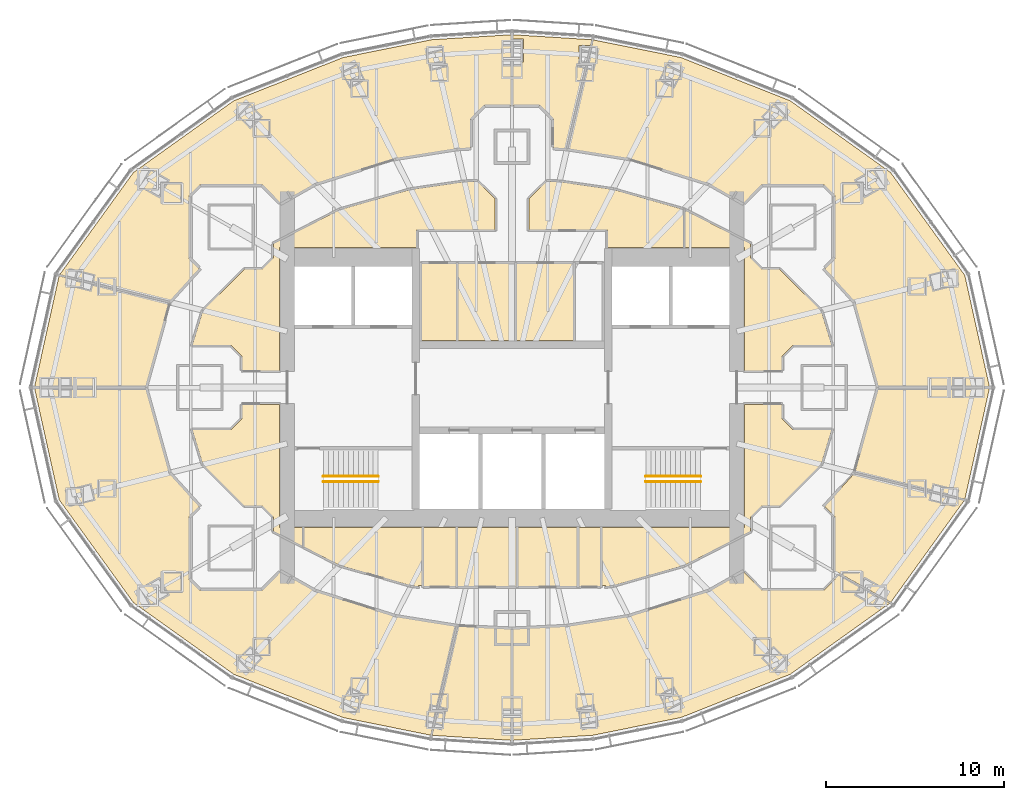
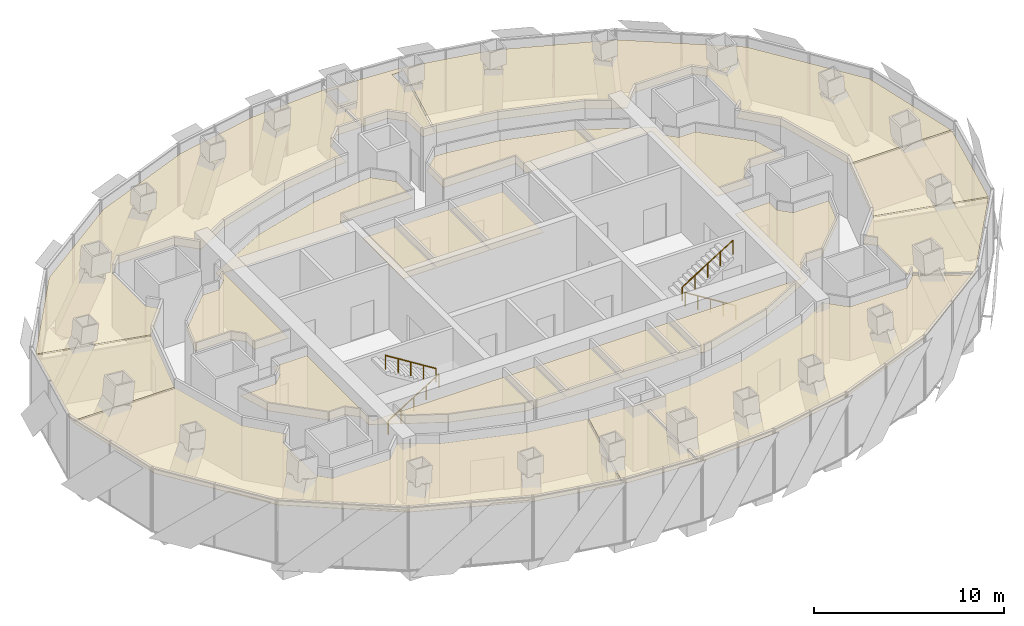
# One storey, part 18 of 18: 22 coverings, 4 railings.
"""IFC4 building model written with IfcOpenShell, lengths in metres."""

from ifc_helpers import new_model, si_unit, direction, frame, origin, origin_2d, place, context, subcontext, project, spatial, polyline, circle, outline, extrude, material, layer, layer_set, type_object, element, save


model = new_model("IFC4")

# Units and contexts
model_context = context("Model", 3, precision=1e-05, world=origin(), true_north=direction((0.0, 1.0)))
body_context = subcontext(model_context, "Body", "Model", "MODEL_VIEW")
ifc_project = project(units=[si_unit("LENGTHUNIT", "METRE"), si_unit("AREAUNIT", "SQUARE_METRE"), si_unit("VOLUMEUNIT", "CUBIC_METRE"), si_unit("PLANEANGLEUNIT", "RADIAN"), si_unit("MASSUNIT", "GRAM", prefix="KILO")], contexts=[model_context])

# Site, building, storey
site_placement = place(None, origin())
site = spatial("IfcSite", under=ifc_project, at=site_placement, CompositionType="ELEMENT")
building_placement = place(site_placement, origin())
building = spatial("IfcBuilding", under=site, at=building_placement, Name="Lantaw Convention Tower", CompositionType="ELEMENT")
storey_placement = place(building_placement, frame((0.0, 0.0, 266.199951171875)))
storey = spatial("IfcBuildingStorey", under=building, at=storey_placement, Name="L62", CompositionType="ELEMENT", Elevation=266.199951171875)

# Railings
ifc_material_1 = material(Name="Stainless steel", Category="steel")
railing_type = type_object("IfcRailingType", Name="Stair handrail", PredefinedType="HANDRAIL", material=ifc_material_1)
railing_1_placement = place(storey_placement, frame((-10.580078125, -5.280029296875, 0.175048828125)))
element("IfcRailing", 1, at=railing_1_placement, inside=storey, type_object=railing_type, Name="Stair handrail S1", PredefinedType="HANDRAIL", context=body_context, shape_type="SweptSolid", body=[
    extrude(circle(Radius=0.02392578125, at=origin_2d()), frame((0.0, 0.0, 0.8759765625), z_axis=(0.847998304005, 0.0, 0.529998940003), x_axis=(0.0, 1.0, 0.0)), (0.0, 0.0, 1.0), 3.632080078125),
    extrude(circle(Radius=0.02099609375, at=origin_2d()), origin(), (0.0, 0.0, 1.0), 0.851806640625),
    extrude(circle(Radius=0.02099609375, at=origin_2d()), frame((0.77001953125, 0.0, 0.481201171875)), (0.0, 0.0, 1.0), 0.851806640625),
    extrude(circle(Radius=0.02099609375, at=origin_2d()), frame((1.5400390625, 0.0, 0.96240234375)), (0.0, 0.0, 1.0), 0.851806640625),
    extrude(circle(Radius=0.02099609375, at=origin_2d()), frame((2.31005859375, 0.0, 1.44384765625)), (0.0, 0.0, 1.0), 0.851806640625),
    extrude(circle(Radius=0.02099609375, at=origin_2d()), frame((3.080078125, 0.0, 1.925048828125)), (0.0, 0.0, 1.0), 0.851806640625),
])
railing_2_placement = place(storey_placement, frame((-7.5, -4.97998046875, 2.275146484375)))
element("IfcRailing", 2, at=railing_2_placement, inside=storey, type_object=railing_type, Name="Stair handrail S1", PredefinedType="HANDRAIL", context=body_context, shape_type="SweptSolid", body=[
    extrude(circle(Radius=0.02392578125, at=origin_2d()), frame((0.0, 0.0, 0.8759765625), z_axis=(-0.848028513186, 0.0, 0.529950602248), x_axis=(0.0, -1.0, 0.0)), (0.0, 0.0, 1.0), 3.632080078125),
    extrude(circle(Radius=0.02099609375, at=origin_2d()), origin(), (0.0, 0.0, 1.0), 0.851806640625),
    extrude(circle(Radius=0.02099609375, at=origin_2d()), frame((-0.77001953125, 0.0, 0.481201171875)), (0.0, 0.0, 1.0), 0.851806640625),
    extrude(circle(Radius=0.02099609375, at=origin_2d()), frame((-1.5400390625, 0.0, 0.96240234375)), (0.0, 0.0, 1.0), 0.851806640625),
    extrude(circle(Radius=0.02099609375, at=origin_2d()), frame((-2.31005859375, 0.0, 1.443603515625)), (0.0, 0.0, 1.0), 0.851806640625),
    extrude(circle(Radius=0.02099609375, at=origin_2d()), frame((-3.080078125, 0.0, 1.9248046875)), (0.0, 0.0, 1.0), 0.851806640625),
])
railing_3_placement = place(storey_placement, frame((10.580078125, -5.280029296875, 0.175048828125)))
element("IfcRailing", 3, at=railing_3_placement, inside=storey, type_object=railing_type, Name="Stair handrail S2", PredefinedType="HANDRAIL", context=body_context, shape_type="SweptSolid", body=[
    extrude(circle(Radius=0.02392578125, at=origin_2d()), frame((0.0, 0.0, 0.8759765625), z_axis=(-0.847998304005, 0.0, 0.529998940003), x_axis=(0.0, -1.0, 0.0)), (0.0, 0.0, 1.0), 3.632080078125),
    extrude(circle(Radius=0.02099609375, at=origin_2d()), origin(), (0.0, 0.0, 1.0), 0.851806640625),
    extrude(circle(Radius=0.02099609375, at=origin_2d()), frame((-0.77001953125, 0.0, 0.481201171875)), (0.0, 0.0, 1.0), 0.851806640625),
    extrude(circle(Radius=0.02099609375, at=origin_2d()), frame((-1.5400390625, 0.0, 0.96240234375)), (0.0, 0.0, 1.0), 0.851806640625),
    extrude(circle(Radius=0.02099609375, at=origin_2d()), frame((-2.31005859375, 0.0, 1.44384765625)), (0.0, 0.0, 1.0), 0.851806640625),
    extrude(circle(Radius=0.02099609375, at=origin_2d()), frame((-3.080078125, 0.0, 1.925048828125)), (0.0, 0.0, 1.0), 0.851806640625),
])
railing_4_placement = place(storey_placement, frame((7.5, -4.97998046875, 2.275146484375)))
element("IfcRailing", 4, at=railing_4_placement, inside=storey, type_object=railing_type, Name="Stair handrail S2", PredefinedType="HANDRAIL", context=body_context, shape_type="SweptSolid", body=[
    extrude(circle(Radius=0.02392578125, at=origin_2d()), frame((0.0, 0.0, 0.8759765625), z_axis=(0.848028513186, 0.0, 0.529950602248), x_axis=(0.0, 1.0, 0.0)), (0.0, 0.0, 1.0), 3.632080078125),
    extrude(circle(Radius=0.02099609375, at=origin_2d()), origin(), (0.0, 0.0, 1.0), 0.851806640625),
    extrude(circle(Radius=0.02099609375, at=origin_2d()), frame((0.77001953125, 0.0, 0.481201171875)), (0.0, 0.0, 1.0), 0.851806640625),
    extrude(circle(Radius=0.02099609375, at=origin_2d()), frame((1.5400390625, 0.0, 0.96240234375)), (0.0, 0.0, 1.0), 0.851806640625),
    extrude(circle(Radius=0.02099609375, at=origin_2d()), frame((2.31005859375, 0.0, 1.443603515625)), (0.0, 0.0, 1.0), 0.851806640625),
    extrude(circle(Radius=0.02099609375, at=origin_2d()), frame((3.080078125, 0.0, 1.9248046875)), (0.0, 0.0, 1.0), 0.851806640625),
])

# Coverings
ifc_material_2 = material(Name="Gypsum board on steel suspension grid", Category="steel")
ifc_layer = layer(ifc_material_2, 0.02001953125)
ifc_layer_set = layer_set([ifc_layer], Name="Suspended ceiling")
covering_type = type_object("IfcCoveringType", Name="Suspended ceiling", PredefinedType="CEILING", material=ifc_layer_set)
covering_1_placement = place(storey_placement, frame((0.0, 0.0, 3.449951171875)))
element("IfcCovering", 5, at=covering_1_placement, inside=storey, type_object=covering_type, Name="Accessible WC ceiling", PredefinedType="CEILING", context=body_context, shape_type="SweptSolid", body=[
    extrude(outline(polyline([(-5.080078125, 2.639892578125), (-3.112060546875, 2.639892578125), (-3.112060546875, 6.9599609375), (-5.080078125, 6.9599609375), (-5.080078125, 2.639892578125)])), origin(), (0.0, 0.0, 1.0), 0.02001953125),
])
covering_2_placement = place(storey_placement, frame((0.0, 0.0, 3.449951171875)))
element("IfcCovering", 6, at=covering_2_placement, inside=storey, type_object=covering_type, Name="Male WC ceiling", PredefinedType="CEILING", context=body_context, shape_type="SweptSolid", body=[
    extrude(outline(polyline([(-3.031982421875, 2.639892578125), (0.164794921875, 2.639892578125), (0.164794921875, 6.9599609375), (-3.031982421875, 6.9599609375), (-3.031982421875, 2.639892578125)])), origin(), (0.0, 0.0, 1.0), 0.02001953125),
])
covering_3_placement = place(storey_placement, frame((0.0, 0.0, 3.449951171875)))
element("IfcCovering", 7, at=covering_3_placement, inside=storey, type_object=covering_type, Name="Female WC ceiling", PredefinedType="CEILING", context=body_context, shape_type="SweptSolid", body=[
    extrude(outline(polyline([(0.244873046875, 2.639892578125), (3.441650390625, 2.639892578125), (3.441650390625, 6.9599609375), (0.244873046875, 6.9599609375), (0.244873046875, 2.639892578125)])), origin(), (0.0, 0.0, 1.0), 0.02001953125),
])
covering_4_placement = place(storey_placement, frame((0.0, 0.0, 3.449951171875)))
element("IfcCovering", 8, at=covering_4_placement, inside=storey, type_object=covering_type, Name="Accessible WC ceiling", PredefinedType="CEILING", context=body_context, shape_type="SweptSolid", body=[
    extrude(outline(polyline([(-4.9599609375, -11.159912109375), (-3.139892578125, -11.159912109375), (-3.139892578125, -7.840087890625), (-4.9599609375, -7.840087890625), (-4.9599609375, -11.159912109375)])), origin(), (0.0, 0.0, 1.0), 0.02001953125),
])
covering_5_placement = place(storey_placement, frame((0.0, 0.0, 3.449951171875)))
element("IfcCovering", 9, at=covering_5_placement, inside=storey, type_object=covering_type, Name="Male WC ceiling", PredefinedType="CEILING", context=body_context, shape_type="SweptSolid", body=[
    extrude(outline(polyline([(-3.06005859375, -11.159912109375), (0.260009765625, -11.159912109375), (0.260009765625, -7.840087890625), (-3.06005859375, -7.840087890625), (-3.06005859375, -11.159912109375)])), origin(), (0.0, 0.0, 1.0), 0.02001953125),
])
covering_6_placement = place(storey_placement, frame((0.0, 0.0, 3.449951171875)))
element("IfcCovering", 10, at=covering_6_placement, inside=storey, type_object=covering_type, Name="Female WC ceiling", PredefinedType="CEILING", context=body_context, shape_type="SweptSolid", body=[
    extrude(outline(polyline([(0.340087890625, -11.159912109375), (3.659912109375, -11.159912109375), (3.659912109375, -7.840087890625), (0.340087890625, -7.840087890625), (0.340087890625, -11.159912109375)])), origin(), (0.0, 0.0, 1.0), 0.02001953125),
])
covering_7_placement = place(storey_placement, frame((0.0, 0.0, 3.449951171875)))
element("IfcCovering", 11, at=covering_7_placement, inside=storey, type_object=covering_type, Name="Pantry ceiling", PredefinedType="CEILING", context=body_context, shape_type="SweptSolid", body=[
    extrude(outline(polyline([(3.739990234375, -11.159912109375), (4.9599609375, -11.159912109375), (4.9599609375, -7.840087890625), (3.739990234375, -7.840087890625), (3.739990234375, -11.159912109375)])), origin(), (0.0, 0.0, 1.0), 0.02001953125),
])
covering_8_placement = place(storey_placement, frame((0.0, 0.0, 3.449951171875)))
element("IfcCovering", 12, at=covering_8_placement, inside=storey, type_object=covering_type, Name="Meeting room ceiling", PredefinedType="CEILING", context=body_context, shape_type="SweptSolid", body=[
    extrude(outline(polyline([(-13.385009765625, -8.062255859375), (-11.75, -8.901611328125), (-11.75, -7.840087890625), (-13.0400390625, -7.840087890625), (-13.0400390625, -0.93994140625), (-15.135009765625, -0.93994140625), (-15.135009765625, -1.7412109375), (-15.7587890625, -2.364990234375), (-17.932861328125, -2.364990234375), (-17.336181640625, -4.31005859375), (-15.008056640625, -6.635009765625), (-14.0087890625, -6.635009765625), (-13.385009765625, -7.2587890625), (-13.385009765625, -8.062255859375)])), origin(), (0.0, 0.0, 1.0), 0.02001953125),
])
covering_9_placement = place(storey_placement, frame((0.0, 0.0, 3.449951171875)))
element("IfcCovering", 13, at=covering_9_placement, inside=storey, type_object=covering_type, Name="Project room ceiling", PredefinedType="CEILING", context=body_context, shape_type="SweptSolid", body=[
    extrude(outline(polyline([(-5.0400390625, -7.840087890625), (-11.669921875, -7.840087890625), (-11.669921875, -8.942626953125), (-9.65576171875, -9.9765625), (-5.67138671875, -11.108154296875), (-5.239990234375, -11.170166015625), (-5.239990234375, -11.110107421875), (-5.0400390625, -11.110107421875), (-5.0400390625, -7.840087890625)])), origin(), (0.0, 0.0, 1.0), 0.02001953125),
])
covering_10_placement = place(storey_placement, frame((0.0, 0.0, 3.449951171875)))
element("IfcCovering", 14, at=covering_10_placement, inside=storey, type_object=covering_type, Name="Tenant storage room ceiling", PredefinedType="CEILING", context=body_context, shape_type="SweptSolid", body=[
    extrude(outline(polyline([(13.0400390625, -0.93994140625), (13.0400390625, -7.840087890625), (5.0400390625, -7.840087890625), (5.0400390625, -11.110107421875), (5.239990234375, -11.110107421875), (5.239990234375, -11.170166015625), (5.67138671875, -11.108154296875), (9.65576171875, -9.9765625), (13.385009765625, -8.062255859375), (13.385009765625, -7.2587890625), (14.0087890625, -6.635009765625), (15.008056640625, -6.635009765625), (17.336181640625, -4.31005859375), (17.932861328125, -2.364990234375), (15.7587890625, -2.364990234375), (15.135009765625, -1.7412109375), (15.135009765625, -0.93994140625), (13.0400390625, -0.93994140625)])), origin(), (0.0, 0.0, 1.0), 0.02001953125),
])
covering_11_placement = place(storey_placement, frame((0.0, 0.0, 3.449951171875)))
element("IfcCovering", 15, at=covering_11_placement, inside=storey, type_object=covering_type, Name="Meeting room ceiling", PredefinedType="CEILING", context=body_context, shape_type="SweptSolid", body=[
    extrude(outline(polyline([(0.93994140625, 8.840087890625), (5.360107421875, 8.840087890625), (5.360107421875, 7.840087890625), (9.6201171875, 7.840087890625), (9.6201171875, 9.98681640625), (5.67138671875, 11.108154296875), (2.669677734375, 11.5400390625), (1.9462890625, 11.572509765625), (1.548828125, 11.175048828125), (1.53662109375, 11.175048828125), (0.93994140625, 10.577392578125), (0.93994140625, 8.840087890625)])), origin(), (0.0, 0.0, 1.0), 0.02001953125),
])
covering_12_placement = place(storey_placement, frame((0.0, 0.0, 3.449951171875)))
element("IfcCovering", 16, at=covering_12_placement, inside=storey, type_object=covering_type, Name="Copy and print room ceiling", PredefinedType="CEILING", context=body_context, shape_type="SweptSolid", body=[
    extrude(outline(polyline([(13.385009765625, 8.06201171875), (9.699951171875, 9.95166015625), (9.699951171875, 7.840087890625), (13.0400390625, 7.840087890625), (13.0400390625, 0.93994140625), (15.135009765625, 0.93994140625), (15.135009765625, 1.7412109375), (15.7587890625, 2.364990234375), (17.932861328125, 2.364990234375), (17.336181640625, 4.31005859375), (15.008056640625, 6.635009765625), (14.0087890625, 6.635009765625), (13.385009765625, 7.2587890625), (13.385009765625, 8.06201171875)])), origin(), (0.0, 0.0, 1.0), 0.02001953125),
])
covering_13_placement = place(storey_placement, frame((0.0, 0.0, 3.449951171875)))
element("IfcCovering", 17, at=covering_13_placement, inside=storey, type_object=covering_type, Name="Project room ceiling", PredefinedType="CEILING", context=body_context, shape_type="SweptSolid", body=[
    extrude(outline(polyline([(-15.7587890625, 2.364990234375), (-15.135009765625, 1.7412109375), (-15.135009765625, 0.93994140625), (-13.0400390625, 0.93994140625), (-13.0400390625, 7.840087890625), (-5.360107421875, 7.840087890625), (-5.360107421875, 8.840087890625), (-0.93994140625, 8.840087890625), (-0.93994140625, 10.577392578125), (-1.53662109375, 11.175048828125), (-1.548828125, 11.175048828125), (-1.9462890625, 11.572509765625), (-2.669677734375, 11.5400390625), (-5.67138671875, 11.108154296875), (-9.65576171875, 9.9765625), (-13.385009765625, 8.062255859375), (-13.385009765625, 7.2587890625), (-14.0087890625, 6.635009765625), (-15.008056640625, 6.635009765625), (-17.336181640625, 4.31005859375), (-17.932861328125, 2.364990234375), (-15.7587890625, 2.364990234375)])), origin(), (0.0, 0.0, 1.0), 0.02001953125),
])
covering_14_placement = place(storey_placement, frame((0.0, 0.0, 3.449951171875)))
element("IfcCovering", 18, at=covering_14_placement, inside=storey, type_object=covering_type, Name="Tenant suite ceiling", PredefinedType="CEILING", context=body_context, shape_type="SweptSolid", body=[
    extrude(outline(polyline([(13.385009765625, 10.72900390625), (13.385009765625, 10.7412109375), (14.0087890625, 11.364990234375), (17.4912109375, 11.364990234375), (18.114990234375, 10.7412109375), (18.114990234375, 7.2587890625), (17.518798828125, 6.66259765625), (19.2080078125, 4.800048828125), (20.530517578125, 0.0400390625), (26.77099609375, 0.0400390625), (25.388916015625, 6.290283203125), (21.224365234375, 12.061767578125), (15.60498046875, 16.076416015625), (9.472900390625, 18.504638671875), (4.55859375, 19.492919921875), (3.130126953125, 13.37939453125), (6.530517578125, 12.837646484375), (11.016845703125, 11.428466796875), (12.973388671875, 10.318115234375), (13.385009765625, 10.72900390625)])), origin(), (0.0, 0.0, 1.0), 0.02001953125),
])
covering_15_placement = place(storey_placement, frame((0.0, 0.0, 3.449951171875)))
element("IfcCovering", 19, at=covering_15_placement, inside=storey, type_object=covering_type, Name="Meeting room ceiling", PredefinedType="CEILING", context=body_context, shape_type="SweptSolid", body=[
    extrude(outline(polyline([(2.324951171875, 15.048828125), (2.324951171875, 13.42431640625), (3.050048828125, 13.38818359375), (4.1513671875, 18.10205078125), (3.763916015625, 18.10205078125), (3.763916015625, 19.181884765625), (4.40380859375, 19.181884765625), (4.478759765625, 19.5029296875), (0.0400390625, 19.781982421875), (0.0400390625, 19.5400390625), (0.639892578125, 19.5400390625), (0.639892578125, 18.260009765625), (0.0400390625, 18.260009765625), (0.0400390625, 15.824951171875), (1.548828125, 15.824951171875), (2.324951171875, 15.048828125)])), origin(), (0.0, 0.0, 1.0), 0.02001953125),
])
covering_16_placement = place(storey_placement, frame((0.0, 0.0, 3.449951171875)))
element("IfcCovering", 20, at=covering_16_placement, inside=storey, type_object=covering_type, Name="Tenant suite ceiling", PredefinedType="CEILING", context=body_context, shape_type="SweptSolid", body=[
    extrude(outline(polyline([(-17.518798828125, 6.66259765625), (-18.114990234375, 7.2587890625), (-18.114990234375, 10.7412109375), (-17.4912109375, 11.364990234375), (-14.0087890625, 11.364990234375), (-13.385009765625, 10.7412109375), (-13.385009765625, 10.72900390625), (-12.973388671875, 10.318115234375), (-11.016845703125, 11.428466796875), (-6.530517578125, 12.837646484375), (-3.08544921875, 13.386474609375), (-2.324951171875, 13.42431640625), (-2.324951171875, 15.048828125), (-1.548828125, 15.824951171875), (-0.0400390625, 15.824951171875), (-0.0400390625, 19.781982421875), (-4.523193359375, 19.500244140625), (-9.472900390625, 18.504638671875), (-15.60498046875, 16.076416015625), (-21.224365234375, 12.061767578125), (-25.359130859375, 6.331787109375), (-19.185546875, 4.82470703125), (-17.518798828125, 6.66259765625)])), origin(), (0.0, 0.0, 1.0), 0.02001953125),
])
covering_17_placement = place(storey_placement, frame((0.0, 0.0, 3.449951171875)))
element("IfcCovering", 21, at=covering_17_placement, inside=storey, type_object=covering_type, Name="Meeting room ceiling", PredefinedType="CEILING", context=body_context, shape_type="SweptSolid", body=[
    extrude(outline(polyline([(-19.221435546875, 4.7509765625), (-25.39599609375, 6.258544921875), (-26.77099609375, 0.0400390625), (-20.530517578125, 0.0400390625), (-19.221435546875, 4.7509765625)])), origin(), (0.0, 0.0, 1.0), 0.02001953125),
])
covering_18_placement = place(storey_placement, frame((0.0, 0.0, 3.449951171875)))
element("IfcCovering", 22, at=covering_18_placement, inside=storey, type_object=covering_type, Name="Tenant suite ceiling", PredefinedType="CEILING", context=body_context, shape_type="SweptSolid", body=[
    extrude(outline(polyline([(-17.518798828125, -6.66259765625), (-19.2080078125, -4.800048828125), (-20.530517578125, -0.0400390625), (-26.77099609375, -0.0400390625), (-25.388916015625, -6.290283203125), (-21.224365234375, -12.061767578125), (-15.60498046875, -16.076416015625), (-9.472900390625, -18.504638671875), (-4.55859375, -19.492919921875), (-3.130126953125, -13.37939453125), (-6.530517578125, -12.837646484375), (-11.016845703125, -11.428466796875), (-12.973388671875, -10.318115234375), (-13.385009765625, -10.72900390625), (-13.385009765625, -10.7412109375), (-14.0087890625, -11.364990234375), (-17.4912109375, -11.364990234375), (-18.114990234375, -10.7412109375), (-18.114990234375, -7.2587890625), (-17.518798828125, -6.66259765625)])), origin(), (0.0, 0.0, 1.0), 0.02001953125),
])
covering_19_placement = place(storey_placement, frame((0.0, 0.0, 3.449951171875)))
element("IfcCovering", 23, at=covering_19_placement, inside=storey, type_object=covering_type, Name="Meeting room ceiling", PredefinedType="CEILING", context=body_context, shape_type="SweptSolid", body=[
    extrude(outline(polyline([(-3.050048828125, -13.38818359375), (-4.478759765625, -19.5029296875), (-0.0400390625, -19.781982421875), (-0.0400390625, -13.5380859375), (-3.050048828125, -13.38818359375)])), origin(), (0.0, 0.0, 1.0), 0.02001953125),
])
covering_20_placement = place(storey_placement, frame((0.0, 0.0, 3.449951171875)))
element("IfcCovering", 24, at=covering_20_placement, inside=storey, type_object=covering_type, Name="Tenant suite ceiling", PredefinedType="CEILING", context=body_context, shape_type="SweptSolid", body=[
    extrude(outline(polyline([(6.530517578125, -12.837646484375), (3.08544921875, -13.386474609375), (0.0400390625, -13.5380859375), (0.0400390625, -19.781982421875), (4.523193359375, -19.500244140625), (9.472900390625, -18.504638671875), (15.60498046875, -16.076416015625), (21.178466796875, -12.094482421875), (18.34375, -10.501220703125), (18.114990234375, -10.72900390625), (18.114990234375, -10.7412109375), (17.4912109375, -11.364990234375), (14.0087890625, -11.364990234375), (13.385009765625, -10.7412109375), (13.385009765625, -10.72900390625), (12.973388671875, -10.318115234375), (11.016845703125, -11.428466796875), (6.530517578125, -12.837646484375)])), origin(), (0.0, 0.0, 1.0), 0.02001953125),
])
covering_21_placement = place(storey_placement, frame((0.0, 0.0, 3.449951171875)))
element("IfcCovering", 25, at=covering_21_placement, inside=storey, type_object=covering_type, Name="Meeting room ceiling", PredefinedType="CEILING", context=body_context, shape_type="SweptSolid", body=[
    extrude(outline(polyline([(17.518798828125, -6.66259765625), (18.114990234375, -7.2587890625), (18.114990234375, -10.28076171875), (21.241455078125, -12.0380859375), (25.359130859375, -6.331787109375), (19.185546875, -4.82470703125), (17.518798828125, -6.66259765625)])), origin(), (0.0, 0.0, 1.0), 0.02001953125),
])
covering_22_placement = place(storey_placement, frame((0.0, 0.0, 3.449951171875)))
element("IfcCovering", 26, at=covering_22_placement, inside=storey, type_object=covering_type, Name="Pantry ceiling", PredefinedType="CEILING", context=body_context, shape_type="SweptSolid", body=[
    extrude(outline(polyline([(19.221435546875, -4.7509765625), (25.39599609375, -6.258544921875), (26.77099609375, -0.0400390625), (20.530517578125, -0.0400390625), (19.221435546875, -4.7509765625)])), origin(), (0.0, 0.0, 1.0), 0.02001953125),
])

save(model, "model.ifc")
